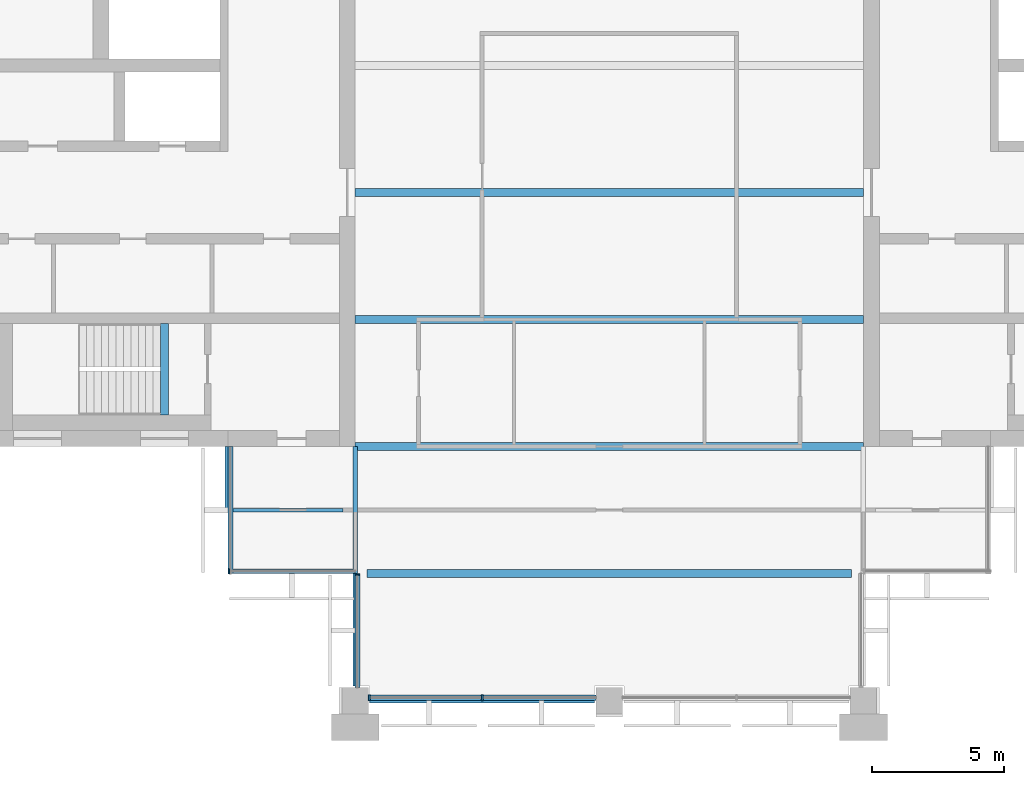
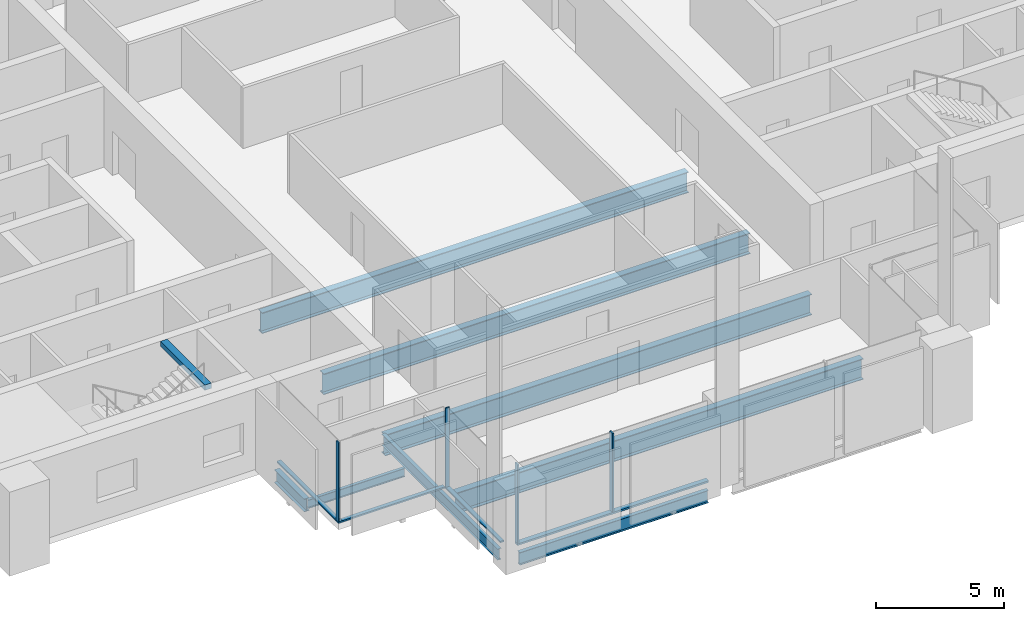
# One storey, part 2 of 12: 9 beams, 8 members, 4 elements without a shape of their own.
"""IFC4 building model written with IfcOpenShell, lengths in metres."""

from ifc_helpers import new_model, si_unit, direction, frame, origin, origin_2d, place, context, subcontext, project, spatial, rectangle, i_section, extrude, material, material_profile, profile_set, type_object, element, aggregate, save


model = new_model("IFC4")

# Units and contexts
model_context = context("Model", 3, precision=1e-05, world=origin(), true_north=direction((0.0, 1.0)))
body_context = subcontext(model_context, "Body", "Model", "MODEL_VIEW")
ifc_project = project(units=[si_unit("LENGTHUNIT", "METRE"), si_unit("AREAUNIT", "SQUARE_METRE"), si_unit("VOLUMEUNIT", "CUBIC_METRE"), si_unit("PLANEANGLEUNIT", "RADIAN"), si_unit("MASSUNIT", "GRAM", prefix="KILO")], contexts=[model_context])

# Site, building, storey
site_placement = place(None, origin())
site = spatial("IfcSite", under=ifc_project, at=site_placement, CompositionType="ELEMENT")
building_placement = place(site_placement, origin())
building = spatial("IfcBuilding", under=site, at=building_placement, Name="Baori Bourse Tower", CompositionType="ELEMENT")
storey_placement = place(building_placement, frame((0.0, 0.0, 282.300048828125)))
storey = spatial("IfcBuildingStorey", under=building, at=storey_placement, Name="L61", CompositionType="ELEMENT", Elevation=282.300048828125)

# Curtain wall, member
ifc_material_1 = material(Name="Pale anodised aluminium", Category="aluminium")
curtain_wall_type_1 = type_object("IfcCurtainWallType", Name="CW2 Curtain wall", PredefinedType="NOTDEFINED", material=ifc_material_1)
curtain_wall_1_placement = place(storey_placement, origin())
curtain_wall_1 = element("IfcCurtainWall", 1, at=curtain_wall_1_placement, inside=storey, type_object=curtain_wall_type_1, Name="Curtain wall CW2 L61 9", PredefinedType="NOTDEFINED")
ifc_material_2 = material(Name="Pale anodised aluminium", Category="aluminium")
ifc_material_profile_1 = material_profile(ifc_material_2, rectangle(XDim=0.179931640625, YDim=0.054931640625, at=origin_2d()), Name="Mullion 55x180")
ifc_profile_set_1 = profile_set([ifc_material_profile_1], Name="Pale anodised aluminium")
member_type_1 = type_object("IfcMemberType", Name="CW2 Curtain wall mullion", PredefinedType="MULLION", material=ifc_profile_set_1)
member_1_placement = place(storey_placement, frame((14.427490234375, 4.889892578125, 0.070068359375), z_axis=(0.0, 0.0, 1.0), x_axis=(0.0, 1.0, 0.0)))
member_1 = element("IfcMember", 2, at=member_1_placement, type_object=member_type_1, Name="Curtain wall CW2 mullion", PredefinedType="MULLION", context=body_context, shape_type="SweptSolid", body=[
    extrude(rectangle(XDim=0.179931640625, YDim=0.054931640625, at=origin_2d()), origin(), (0.0, 0.0, 1.0), 3.769775390625),
])

curtain_wall_2_placement = place(storey_placement, origin())
curtain_wall_2 = element("IfcCurtainWall", 3, at=curtain_wall_2_placement, inside=storey, type_object=curtain_wall_type_1, Name="Curtain wall CW2 L61 10", PredefinedType="NOTDEFINED")
member_2_placement = place(storey_placement, frame((19.2900390625, 4.7724609375, 0.070068359375), z_axis=(0.0, 0.0, 1.0), x_axis=(1.0, 0.0, 0.0)))
member_2 = element("IfcMember", 4, at=member_2_placement, type_object=member_type_1, Name="Curtain wall CW2 mullion", PredefinedType="MULLION", context=body_context, shape_type="SweptSolid", body=[
    extrude(rectangle(XDim=0.179931640625, YDim=0.054931640625, at=origin_2d()), origin(), (0.0, 0.0, 1.0), 3.769775390625),
])

curtain_wall_3_placement = place(storey_placement, origin())
curtain_wall_3 = element("IfcCurtainWall", 5, at=curtain_wall_3_placement, inside=storey, type_object=curtain_wall_type_1, Name="Curtain wall CW2 L61 8", PredefinedType="NOTDEFINED")
ifc_material_3 = material(Name="Pale anodised aluminium", Category="aluminium")
ifc_material_profile_2 = material_profile(ifc_material_3, rectangle(XDim=0.179931640625, YDim=0.070068359375, at=origin_2d()), Name="Transom 70x180")
ifc_profile_set_2 = profile_set([ifc_material_profile_2], Name="Pale anodised aluminium")
member_type_2 = type_object("IfcMemberType", Name="CW2 Curtain wall transom", PredefinedType="USERDEFINED", material=ifc_profile_set_2)
member_3_placement = place(storey_placement, frame((14.489990234375, 9.60009765625, 0.034912109375), z_axis=(0.0, -1.0, 0.0), x_axis=(1.0, 0.0, 0.0)))
member_3 = element("IfcMember", 6, at=member_3_placement, type_object=member_type_2, Name="Curtain wall CW2 sill rail", ObjectType="TRANSOM", PredefinedType="USERDEFINED", context=body_context, shape_type="SweptSolid", body=[
    extrude(rectangle(XDim=0.179931640625, YDim=0.070068359375, at=origin_2d()), origin(), (0.0, 0.0, 1.0), 4.800048828125),
])
aggregate(curtain_wall_3, [member_3])

# Member
member_4_placement = place(storey_placement, frame((14.39990234375, 4.889892578125, 0.034912109375), z_axis=(1.0, 0.0, 0.0), x_axis=(0.0, 1.0, 0.0)))
member_4 = element("IfcMember", 7, at=member_4_placement, type_object=member_type_2, Name="Curtain wall CW2 sill rail", ObjectType="TRANSOM", PredefinedType="USERDEFINED", context=body_context, shape_type="SweptSolid", body=[
    extrude(rectangle(XDim=0.179931640625, YDim=0.070068359375, at=origin_2d()), origin(), (0.0, 0.0, 1.0), 4.800048828125),
])

aggregate(curtain_wall_1, [member_4, member_1])

member_5_placement = place(storey_placement, frame((19.2900390625, 4.800048828125, 0.034912109375), z_axis=(0.0, -1.0, 0.0), x_axis=(1.0, 0.0, 0.0)))
member_5 = element("IfcMember", 8, at=member_5_placement, type_object=member_type_2, Name="Curtain wall CW2 sill rail", ObjectType="TRANSOM", PredefinedType="USERDEFINED", context=body_context, shape_type="SweptSolid", body=[
    extrude(rectangle(XDim=0.179931640625, YDim=0.070068359375, at=origin_2d()), origin(), (0.0, 0.0, 1.0), 4.300048828125),
])

aggregate(curtain_wall_2, [member_5, member_2])

# Curtain wall, members
ifc_material_4 = material(Name="Pale anodised aluminium", Category="aluminium")
curtain_wall_type_2 = type_object("IfcCurtainWallType", Name="CW5 Curtain wall", PredefinedType="NOTDEFINED", material=ifc_material_4)
curtain_wall_4_placement = place(storey_placement, origin())
curtain_wall_4 = element("IfcCurtainWall", 9, at=curtain_wall_4_placement, inside=storey, type_object=curtain_wall_type_2, Name="Curtain wall CW5 L61 11", PredefinedType="NOTDEFINED")
ifc_material_5 = material(Name="Pale anodised aluminium", Category="aluminium")
ifc_material_profile_3 = material_profile(ifc_material_5, rectangle(XDim=0.219970703125, YDim=0.06494140625, at=origin_2d()), Name="Mullion 65x220")
ifc_profile_set_3 = profile_set([ifc_material_profile_3], Name="Pale anodised aluminium")
member_type_3 = type_object("IfcMemberType", Name="CW5 Curtain wall mullion", PredefinedType="MULLION", material=ifc_profile_set_3)
member_6_placement = place(storey_placement, frame((19.732421875, 0.110107421875, 0.0849609375), z_axis=(0.0, 0.0, 1.0), x_axis=(0.0, 1.0, 0.0)))
member_6 = element("IfcMember", 10, at=member_6_placement, type_object=member_type_3, Name="Curtain wall CW5 mullion", PredefinedType="MULLION", context=body_context, shape_type="SweptSolid", body=[
    extrude(rectangle(XDim=0.219970703125, YDim=0.06494140625, at=origin_2d()), origin(), (0.0, 0.0, 1.0), 3.7548828125),
])
member_7_placement = place(storey_placement, frame((24.0, 0.110107421875, 0.0849609375), z_axis=(0.0, 0.0, 1.0), x_axis=(0.0, 1.0, 0.0)))
member_7 = element("IfcMember", 11, at=member_7_placement, type_object=member_type_3, Name="Curtain wall CW5 mullion", PredefinedType="MULLION", context=body_context, shape_type="SweptSolid", body=[
    extrude(rectangle(XDim=0.219970703125, YDim=0.06494140625, at=origin_2d()), origin(), (0.0, 0.0, 1.0), 3.7548828125),
])
ifc_material_6 = material(Name="Pale anodised aluminium", Category="aluminium")
ifc_material_profile_4 = material_profile(ifc_material_6, rectangle(XDim=0.219970703125, YDim=0.0849609375, at=origin_2d()), Name="Transom 85x220")
ifc_profile_set_4 = profile_set([ifc_material_profile_4], Name="Pale anodised aluminium")
member_type_4 = type_object("IfcMemberType", Name="CW5 Curtain wall transom", PredefinedType="USERDEFINED", material=ifc_profile_set_4)
member_8_placement = place(storey_placement, frame((19.699951171875, 0.110107421875, 0.04248046875), z_axis=(1.0, 0.0, 0.0), x_axis=(0.0, 1.0, 0.0)))
member_8 = element("IfcMember", 12, at=member_8_placement, type_object=member_type_4, Name="Curtain wall CW5 sill rail", ObjectType="TRANSOM", PredefinedType="USERDEFINED", context=body_context, shape_type="SweptSolid", body=[
    extrude(rectangle(XDim=0.219970703125, YDim=0.0849609375, at=origin_2d()), origin(), (0.0, 0.0, 1.0), 8.60009765625),
])
aggregate(curtain_wall_4, [member_8, member_6, member_7])

# Beams
ifc_material_7 = material(Name="Steel A992 Gr 50", Category="steel")
ifc_material_profile_5 = material_profile(ifc_material_7, i_section(OverallWidth=0.22900390625, OverallDepth=0.612060546875, WebThickness=0.011962890625, FlangeThickness=0.01953125, at=origin_2d()), Name="W24x84")
ifc_profile_set_5 = profile_set([ifc_material_profile_5], Name="Steel A992 Gr 50")
beam_type_1 = type_object("IfcBeamType", Name="Core bracket W24x84", PredefinedType="BEAM", material=ifc_profile_set_5)
beam_1_placement = place(storey_placement, frame((14.39990234375, 7.270263671875, -0.606201171875), z_axis=(0.0, 1.0, 0.0), x_axis=(-1.0, 0.0, 0.0)))
element("IfcBeam", 13, at=beam_1_placement, inside=storey, type_object=beam_type_1, Name="Core bracket L61", PredefinedType="BEAM", context=body_context, shape_type="SweptSolid", body=[
    extrude(i_section(OverallWidth=0.22900390625, OverallDepth=0.612060546875, WebThickness=0.011962890625, FlangeThickness=0.01953125, at=origin_2d()), origin(), (0.0, 0.0, 1.0), 2.329833984375),
])
ifc_material_8 = material(Name="Steel A992 Gr 50", Category="steel")
ifc_material_profile_6 = material_profile(ifc_material_8, i_section(OverallWidth=0.177978515625, OverallDepth=0.599365234375, WebThickness=0.010009765625, FlangeThickness=0.012939453125, at=origin_2d()), Name="W24x55")
ifc_profile_set_6 = profile_set([ifc_material_profile_6], Name="Steel A992 Gr 50")
beam_type_2 = type_object("IfcBeamType", Name="Edge beam W24x55", PredefinedType="BEAM", material=ifc_profile_set_6)
beam_2_placement = place(storey_placement, frame((19.75, 0.0, -0.599853515625), z_axis=(1.0, 0.0, 0.0), x_axis=(0.0, 1.0, 0.0)))
element("IfcBeam", 14, at=beam_2_placement, inside=storey, type_object=beam_type_2, Name="Edge beam L61", PredefinedType="BEAM", context=body_context, shape_type="SweptSolid", body=[
    extrude(i_section(OverallWidth=0.177978515625, OverallDepth=0.599365234375, WebThickness=0.010009765625, FlangeThickness=0.012939453125, at=origin_2d()), origin(), (0.0, 0.0, 1.0), 8.5),
])
ifc_material_9 = material(Name="Steel A992 Gr 50", Category="steel")
ifc_material_profile_7 = material_profile(ifc_material_9, i_section(OverallWidth=0.2998046875, OverallDepth=0.990478515625, WebThickness=0.0166015625, FlangeThickness=0.030517578125, at=origin_2d()), Name="W40x183")
ifc_profile_set_7 = profile_set([ifc_material_profile_7], Name="Steel A992 Gr 50")
beam_type_3 = type_object("IfcBeamType", Name="Floor beam W40x183", PredefinedType="BEAM", material=ifc_profile_set_7)
beam_3_placement = place(storey_placement, frame((19.64990234375, 4.800048828125, -0.79541015625), z_axis=(1.0, 0.0, 0.0), x_axis=(0.0, 1.0, 0.0)))
element("IfcBeam", 15, at=beam_3_placement, inside=storey, type_object=beam_type_3, Name="Floor beam L61", PredefinedType="BEAM", context=body_context, shape_type="SweptSolid", body=[
    extrude(i_section(OverallWidth=0.2998046875, OverallDepth=0.990478515625, WebThickness=0.0166015625, FlangeThickness=0.030517578125, at=origin_2d()), origin(), (0.0, 0.0, 1.0), 18.300048828125),
])
for number, where, z_axis, x_axis, name in (
    (16, (19.199951171875, 9.60009765625, -0.79541015625), (1.0, 0.0, 0.0), (0.0, 1.0, 0.0), "Floor beam L61"),
    (17, (19.199951171875, 14.39990234375, -0.79541015625), (1.0, 0.0, 0.0), (0.0, 1.0, 0.0), "Floor beam L61"),
    (18, (19.199951171875, 19.199951171875, -0.79541015625), (1.0, 0.0, 0.0), (0.0, 1.0, 0.0), "Floor beam L61"),
):
    element("IfcBeam", number, at=place(storey_placement, frame(where, z_axis=z_axis, x_axis=x_axis)), inside=storey, type_object=beam_type_3, Name=name, PredefinedType="BEAM", context=body_context, shape_type="SweptSolid", body=[
        extrude(i_section(OverallWidth=0.2998046875, OverallDepth=0.990478515625, WebThickness=0.0166015625, FlangeThickness=0.030517578125, at=origin_2d()), origin(), (0.0, 0.0, 1.0), 19.199951171875),
    ])
ifc_material_10 = material(Name="Steel A992 Gr 50", Category="steel")
ifc_material_profile_8 = material_profile(ifc_material_10, i_section(OverallWidth=0.1650390625, OverallDepth=0.52587890625, WebThickness=0.0087890625, FlangeThickness=0.011474609375, at=origin_2d()), Name="W21x44")
ifc_profile_set_8 = profile_set([ifc_material_profile_8], Name="Steel A992 Gr 50")
beam_type_4 = type_object("IfcBeamType", Name="Girder W21x44", PredefinedType="BEAM", material=ifc_profile_set_8)
beam_4_placement = place(storey_placement, frame((19.199951171875, 0.550048828125, -0.56298828125), z_axis=(0.0, 1.0, 0.0), x_axis=(-1.0, 0.0, 0.0)))
element("IfcBeam", 19, at=beam_4_placement, inside=storey, type_object=beam_type_4, Name="Girder L61", PredefinedType="BEAM", context=body_context, shape_type="SweptSolid", body=[
    extrude(i_section(OverallWidth=0.1650390625, OverallDepth=0.52587890625, WebThickness=0.0087890625, FlangeThickness=0.011474609375, at=origin_2d()), origin(), (0.0, 0.0, 1.0), 9.050048828125),
])
ifc_material_11 = material(Name="Concrete f'c 50 MPa", Category="concrete")
ifc_material_profile_9 = material_profile(ifc_material_11, rectangle(XDim=0.300048828125, YDim=0.25, at=origin_2d()), Name="RC 300x250")
ifc_profile_set_9 = profile_set([ifc_material_profile_9], Name="Concrete f'c 50 MPa")
beam_type_5 = type_object("IfcBeamType", Name="Stair nib beam RC 300x250", PredefinedType="BEAM", material=ifc_profile_set_9)
beam_5_placement = place(storey_placement, frame((12.0, 10.800048828125, 3.71484375), z_axis=(0.0, 1.0, 0.0), x_axis=(-1.0, 0.0, 0.0)))
element("IfcBeam", 20, at=beam_5_placement, inside=storey, type_object=beam_type_5, Name="Stair WA nib beam L62", PredefinedType="BEAM", context=body_context, shape_type="SweptSolid", body=[
    extrude(rectangle(XDim=0.300048828125, YDim=0.25, at=origin_2d()), origin(), (0.0, 0.0, 1.0), 3.449951171875),
])
ifc_material_12 = material(Name="Steel A992 Gr 50", Category="steel")
ifc_material_profile_10 = material_profile(ifc_material_12, i_section(OverallWidth=0.140380859375, OverallDepth=0.40380859375, WebThickness=0.007080078125, FlangeThickness=0.01123046875, at=origin_2d()), Name="W16x31")
ifc_profile_set_10 = profile_set([ifc_material_profile_10], Name="Steel A992 Gr 50")
beam_type_6 = type_object("IfcBeamType", Name="Trimmer beam W16x31", PredefinedType="BEAM", material=ifc_profile_set_10)
beam_6_placement = place(storey_placement, frame((14.39990234375, 7.199951171875, -0.501953125), z_axis=(1.0, 0.0, 0.0), x_axis=(0.0, 1.0, 0.0)))
element("IfcBeam", 21, at=beam_6_placement, inside=storey, type_object=beam_type_6, Name="Trimmer beam L61", PredefinedType="BEAM", context=body_context, shape_type="SweptSolid", body=[
    extrude(i_section(OverallWidth=0.140380859375, OverallDepth=0.40380859375, WebThickness=0.007080078125, FlangeThickness=0.01123046875, at=origin_2d()), origin(), (0.0, 0.0, 1.0), 4.35009765625),
])

save(model, "model.ifc")
